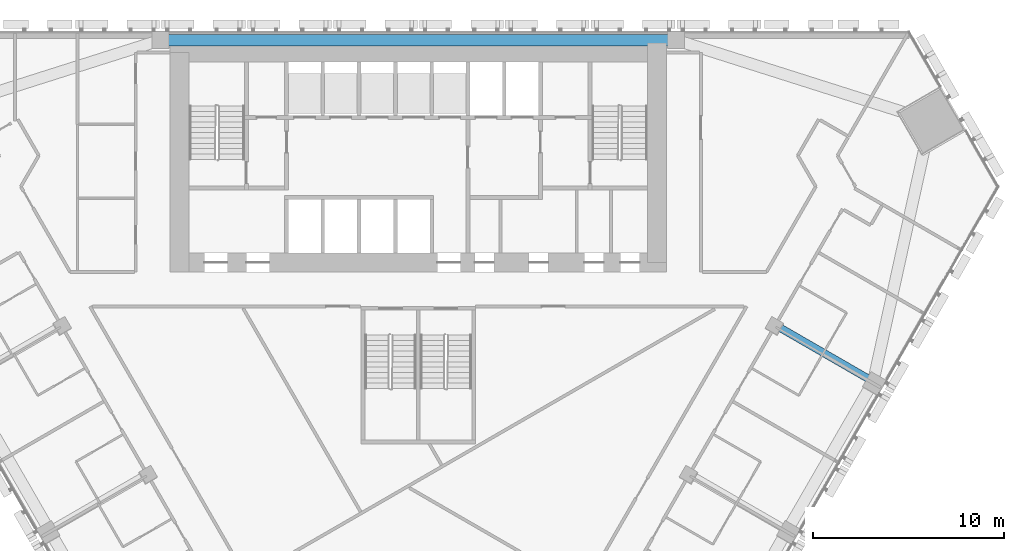
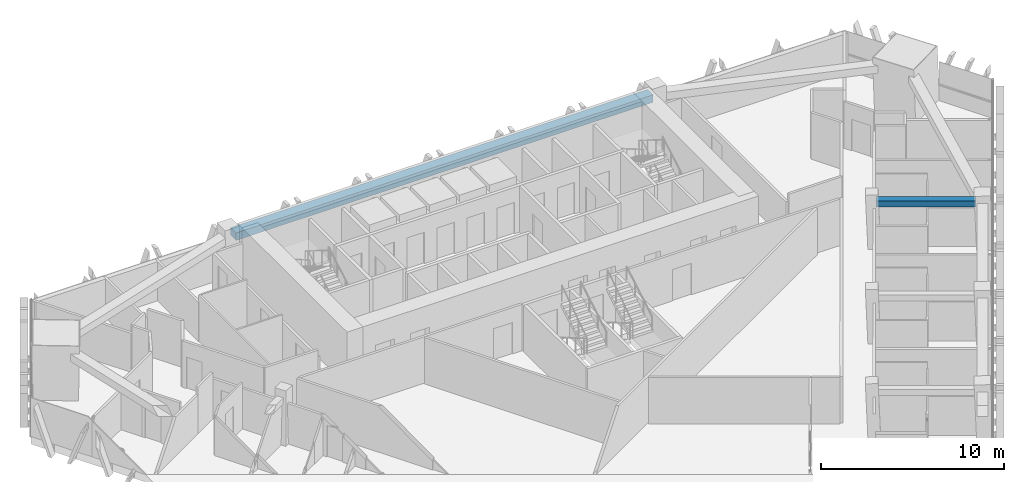
# One storey, part 6 of 17: 2 beams.
"""IFC4 building model written with IfcOpenShell, lengths in metres."""

from ifc_helpers import new_model, si_unit, direction, frame, origin, origin_2d, place, context, subcontext, project, spatial, rectangle, extrude, material, material_profile, profile_set, type_object, element, save


model = new_model("IFC4")

# Units and contexts
model_context = context("Model", 3, precision=1e-05, world=origin(), true_north=direction((0.0, 1.0)))
body_context = subcontext(model_context, "Body", "Model", "MODEL_VIEW")
ifc_project = project(units=[si_unit("LENGTHUNIT", "METRE"), si_unit("AREAUNIT", "SQUARE_METRE"), si_unit("VOLUMEUNIT", "CUBIC_METRE"), si_unit("PLANEANGLEUNIT", "RADIAN"), si_unit("MASSUNIT", "GRAM", prefix="KILO")], contexts=[model_context])

# Site, building, storey
site_placement = place(None, origin())
site = spatial("IfcSite", under=ifc_project, at=site_placement, CompositionType="ELEMENT")
building_placement = place(site_placement, origin())
building = spatial("IfcBuilding", under=site, at=building_placement, Name="Altiplano Prism Tower", CompositionType="ELEMENT")
storey_placement = place(building_placement, frame((0.0, 0.0, 55.800048828125)))
storey = spatial("IfcBuildingStorey", under=building, at=storey_placement, Name="L13", CompositionType="ELEMENT", Elevation=55.800048828125)

# Beams
ifc_material = material(Name="Concrete C60/75", Category="concrete")
ifc_material_profile_1 = material_profile(ifc_material, rectangle(XDim=0.60009765625, YDim=0.5, at=origin_2d()), Name="Edge beam 600x500")
ifc_profile_set_1 = profile_set([ifc_material_profile_1], Name="Concrete C60/75")
beam_type_1 = type_object("IfcBeamType", Name="Edge beam 600x500", PredefinedType="SPANDREL", material=ifc_profile_set_1)
beam_1_placement = place(storey_placement, frame((98.169921875, 104.550048828125, 2.849853515625), z_axis=(-1.0, 0.0, 0.0), x_axis=(0.0, -1.0, 0.0)))
element("IfcBeam", 1, at=beam_1_placement, inside=storey, type_object=beam_type_1, Name="Edge beam P01-P04 L14", PredefinedType="SPANDREL", context=body_context, shape_type="SweptSolid", body=[
    extrude(rectangle(XDim=0.60009765625, YDim=0.5, at=origin_2d()), origin(), (0.0, 0.0, 1.0), 26.33984375),
])
ifc_material_profile_2 = material_profile(ifc_material, rectangle(XDim=0.39990234375, YDim=0.39990234375, at=origin_2d()), Name="Tie beam 400x400")
ifc_profile_set_2 = profile_set([ifc_material_profile_2], Name="Concrete C60/75")
beam_type_2 = type_object("IfcBeamType", Name="Tie beam 400x400", PredefinedType="BEAM", material=ifc_profile_set_2)
beam_2_placement = place(storey_placement, frame((103.78662109375, 89.5732421875, 2.89990234375), z_axis=(0.866031549307, -0.499989355492, 0.0), x_axis=(0.499989355492, 0.866031549307, 0.0)))
element("IfcBeam", 2, at=beam_2_placement, inside=storey, type_object=beam_type_2, Name="Tie beam I24 L14", PredefinedType="BEAM", context=body_context, shape_type="SweptSolid", body=[
    extrude(rectangle(XDim=0.39990234375, YDim=0.39990234375, at=origin_2d()), origin(), (0.0, 0.0, 1.0), 5.48974609375),
])

save(model, "model.ifc")
